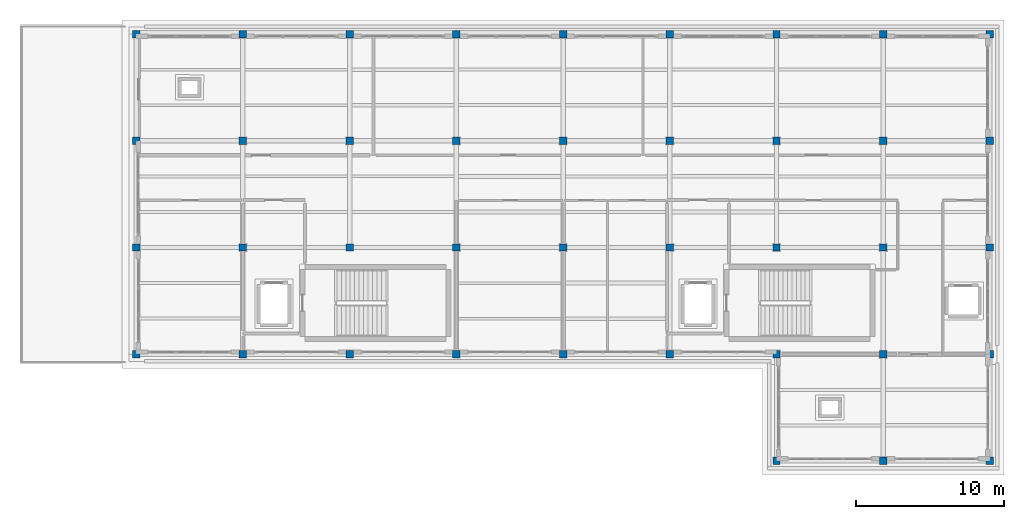
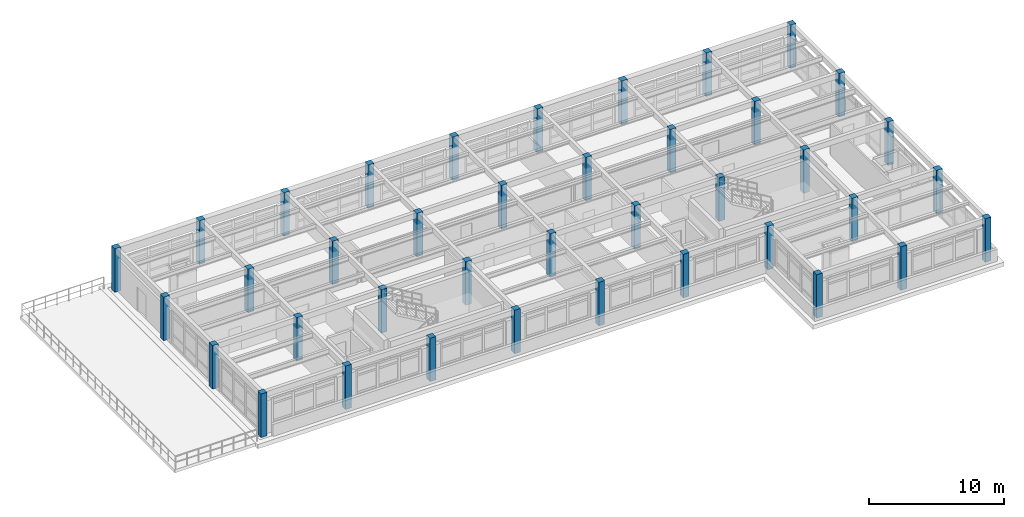
# One storey, part 1 of 18: 39 columns.
"""IFC4 building model written with IfcOpenShell, lengths in metres."""

from ifc_helpers import new_model, si_unit, direction, frame, origin, origin_2d, place, context, subcontext, project, spatial, rectangle, extrude, material, material_profile, profile_set, type_object, element, save


model = new_model("IFC4")

# Units and contexts
model_context = context("Model", 3, precision=1e-05, world=origin(), true_north=direction((0.0, 1.0)))
body_context = subcontext(model_context, "Body", "Model", "MODEL_VIEW")
ifc_project = project(units=[si_unit("LENGTHUNIT", "METRE"), si_unit("AREAUNIT", "SQUARE_METRE"), si_unit("VOLUMEUNIT", "CUBIC_METRE"), si_unit("PLANEANGLEUNIT", "RADIAN"), si_unit("MASSUNIT", "GRAM", prefix="KILO")], contexts=[model_context])

# Site, building, storey
site_placement = place(None, origin())
site = spatial("IfcSite", under=ifc_project, at=site_placement, CompositionType="ELEMENT")
building_placement = place(site_placement, origin())
building = spatial("IfcBuilding", under=site, at=building_placement, Name="Solenvale Faculty of Natural Sciences", CompositionType="ELEMENT")
storey_placement = place(building_placement, frame((0.0, 0.0, 39.60009765625)))
storey = spatial("IfcBuildingStorey", under=building, at=storey_placement, Name="L09", CompositionType="ELEMENT", Elevation=39.60009765625)

# Columns
ifc_material = material(Name="Concrete 40 MPa", Category="concrete")
ifc_material_profile = material_profile(ifc_material, rectangle(XDim=0.5, YDim=0.5, at=origin_2d()), Name="RC-COL-500x500")
ifc_profile_set = profile_set([ifc_material_profile], Name="Concrete 40 MPa")
column_type = type_object("IfcColumnType", Name="COL-RC-500", PredefinedType="COLUMN", material=ifc_profile_set)
for number, where, z_axis, x_axis, name in (
    (1, (93.60009765625, 93.60009765625, 0.0), (0.0, 0.0, 1.0), (1.0, 0.0, 0.0), "L09 Column (93.6, 93.6)"),
    (2, (93.60009765625, 100.800048828125, 0.0), (0.0, 0.0, 1.0), (1.0, 0.0, 0.0), "L09 Column (93.6, 100.8)"),
    (3, (93.60009765625, 108.0, 0.0), (0.0, 0.0, 1.0), (1.0, 0.0, 0.0), "L09 Column (93.6, 108.0)"),
    (4, (93.60009765625, 115.199951171875, 0.0), (0.0, 0.0, 1.0), (1.0, 0.0, 0.0), "L09 Column (93.6, 115.2)"),
    (5, (100.800048828125, 93.60009765625, 0.0), (0.0, 0.0, 1.0), (1.0, 0.0, 0.0), "L09 Column (100.8, 93.6)"),
    (6, (100.800048828125, 100.800048828125, 0.0), (0.0, 0.0, 1.0), (1.0, 0.0, 0.0), "L09 Column (100.8, 100.8)"),
    (7, (100.800048828125, 108.0, 0.0), (0.0, 0.0, 1.0), (1.0, 0.0, 0.0), "L09 Column (100.8, 108.0)"),
    (8, (100.800048828125, 115.199951171875, 0.0), (0.0, 0.0, 1.0), (1.0, 0.0, 0.0), "L09 Column (100.8, 115.2)"),
    (9, (108.0, 93.60009765625, 0.0), (0.0, 0.0, 1.0), (1.0, 0.0, 0.0), "L09 Column (108.0, 93.6)"),
    (10, (108.0, 100.800048828125, 0.0), (0.0, 0.0, 1.0), (1.0, 0.0, 0.0), "L09 Column (108.0, 100.8)"),
    (11, (108.0, 108.0, 0.0), (0.0, 0.0, 1.0), (1.0, 0.0, 0.0), "L09 Column (108.0, 108.0)"),
    (12, (108.0, 115.199951171875, 0.0), (0.0, 0.0, 1.0), (1.0, 0.0, 0.0), "L09 Column (108.0, 115.2)"),
    (13, (115.199951171875, 93.60009765625, 0.0), (0.0, 0.0, 1.0), (1.0, 0.0, 0.0), "L09 Column (115.2, 93.6)"),
    (14, (115.199951171875, 100.800048828125, 0.0), (0.0, 0.0, 1.0), (1.0, 0.0, 0.0), "L09 Column (115.2, 100.8)"),
    (15, (115.199951171875, 108.0, 0.0), (0.0, 0.0, 1.0), (1.0, 0.0, 0.0), "L09 Column (115.2, 108.0)"),
    (16, (115.199951171875, 115.199951171875, 0.0), (0.0, 0.0, 1.0), (1.0, 0.0, 0.0), "L09 Column (115.2, 115.2)"),
    (17, (122.39990234375, 93.60009765625, 0.0), (0.0, 0.0, 1.0), (1.0, 0.0, 0.0), "L09 Column (122.4, 93.6)"),
    (18, (122.39990234375, 100.800048828125, 0.0), (0.0, 0.0, 1.0), (1.0, 0.0, 0.0), "L09 Column (122.4, 100.8)"),
    (19, (122.39990234375, 108.0, 0.0), (0.0, 0.0, 1.0), (1.0, 0.0, 0.0), "L09 Column (122.4, 108.0)"),
    (20, (122.39990234375, 115.199951171875, 0.0), (0.0, 0.0, 1.0), (1.0, 0.0, 0.0), "L09 Column (122.4, 115.2)"),
    (21, (129.60009765625, 93.60009765625, 0.0), (0.0, 0.0, 1.0), (1.0, 0.0, 0.0), "L09 Column (129.6, 93.6)"),
    (22, (129.60009765625, 100.800048828125, 0.0), (0.0, 0.0, 1.0), (1.0, 0.0, 0.0), "L09 Column (129.6, 100.8)"),
    (23, (129.60009765625, 108.0, 0.0), (0.0, 0.0, 1.0), (1.0, 0.0, 0.0), "L09 Column (129.6, 108.0)"),
    (24, (129.60009765625, 115.199951171875, 0.0), (0.0, 0.0, 1.0), (1.0, 0.0, 0.0), "L09 Column (129.6, 115.2)"),
    (25, (136.800048828125, 86.39990234375, 0.0), (0.0, 0.0, 1.0), (1.0, 0.0, 0.0), "L09 Column (136.8, 86.4)"),
    (26, (136.800048828125, 93.60009765625, 0.0), (0.0, 0.0, 1.0), (1.0, 0.0, 0.0), "L09 Column (136.8, 93.6)"),
    (27, (136.800048828125, 100.800048828125, 0.0), (0.0, 0.0, 1.0), (1.0, 0.0, 0.0), "L09 Column (136.8, 100.8)"),
    (28, (136.800048828125, 108.0, 0.0), (0.0, 0.0, 1.0), (1.0, 0.0, 0.0), "L09 Column (136.8, 108.0)"),
    (29, (136.800048828125, 115.199951171875, 0.0), (0.0, 0.0, 1.0), (1.0, 0.0, 0.0), "L09 Column (136.8, 115.2)"),
    (30, (144.0, 86.39990234375, 0.0), (0.0, 0.0, 1.0), (1.0, 0.0, 0.0), "L09 Column (144.0, 86.4)"),
    (31, (144.0, 93.60009765625, 0.0), (0.0, 0.0, 1.0), (1.0, 0.0, 0.0), "L09 Column (144.0, 93.6)"),
    (32, (144.0, 100.800048828125, 0.0), (0.0, 0.0, 1.0), (1.0, 0.0, 0.0), "L09 Column (144.0, 100.8)"),
    (33, (144.0, 108.0, 0.0), (0.0, 0.0, 1.0), (1.0, 0.0, 0.0), "L09 Column (144.0, 108.0)"),
    (34, (144.0, 115.199951171875, 0.0), (0.0, 0.0, 1.0), (1.0, 0.0, 0.0), "L09 Column (144.0, 115.2)"),
    (35, (151.199951171875, 86.39990234375, 0.0), (0.0, 0.0, 1.0), (1.0, 0.0, 0.0), "L09 Column (151.2, 86.4)"),
    (36, (151.199951171875, 93.60009765625, 0.0), (0.0, 0.0, 1.0), (1.0, 0.0, 0.0), "L09 Column (151.2, 93.6)"),
    (37, (151.199951171875, 100.800048828125, 0.0), (0.0, 0.0, 1.0), (1.0, 0.0, 0.0), "L09 Column (151.2, 100.8)"),
    (38, (151.199951171875, 108.0, 0.0), (0.0, 0.0, 1.0), (1.0, 0.0, 0.0), "L09 Column (151.2, 108.0)"),
    (39, (151.199951171875, 115.199951171875, 0.0), (0.0, 0.0, 1.0), (1.0, 0.0, 0.0), "L09 Column (151.2, 115.2)"),
):
    element("IfcColumn", number, at=place(storey_placement, frame(where, z_axis=z_axis, x_axis=x_axis)), inside=storey, type_object=column_type, Name=name, PredefinedType="COLUMN", context=body_context, shape_type="SweptSolid", body=[
        extrude(rectangle(XDim=0.5, YDim=0.5, at=origin_2d()), origin(), (0.0, 0.0, 1.0), 3.919921875),
    ])

save(model, "model.ifc")
